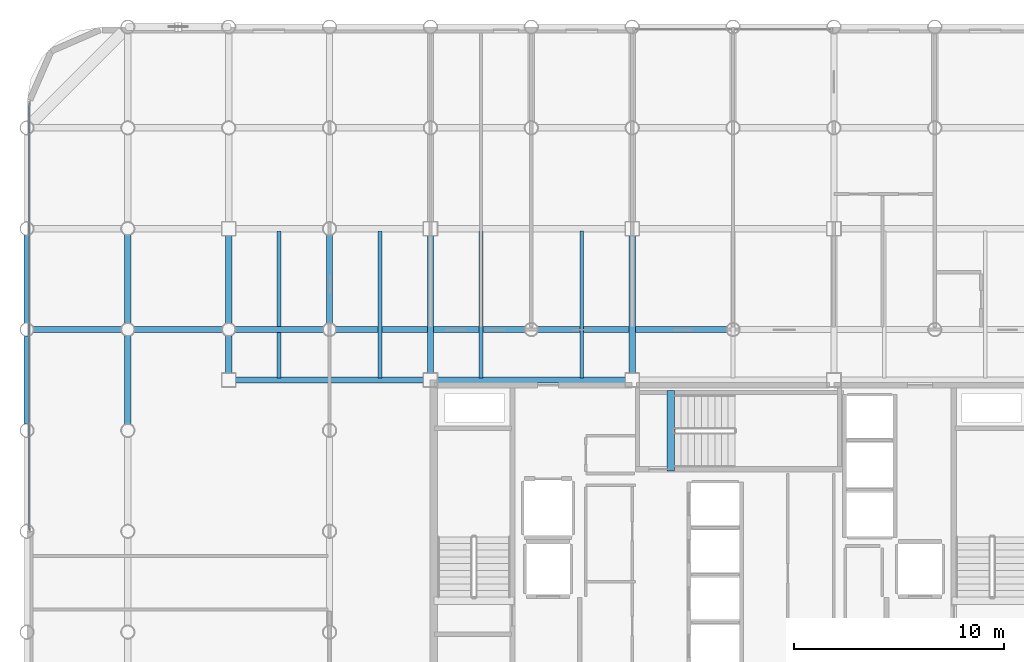
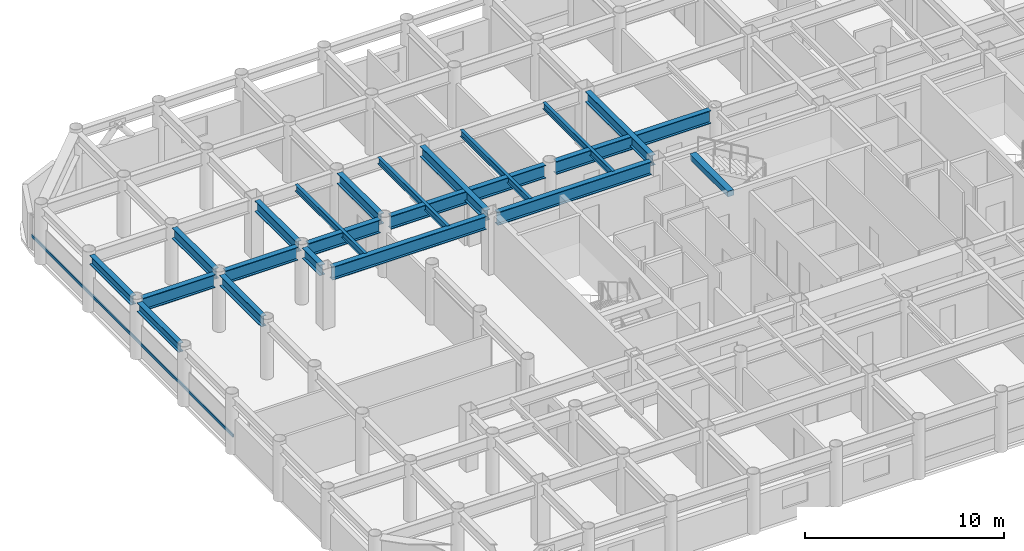
# One storey, part 5 of 20: 21 beams, 1 member, 1 element without a shape of its own.
"""IFC4 building model written with IfcOpenShell, lengths in metres."""

import ifcopenshell
import ifcopenshell.guid

model = None  # the IFC model being written
_history = None  # IfcOwnerHistory: only IFC2X3 demands one
_inside = {}  # id of a spatial element -> (the spatial element, [elements in it])
_under = {}  # id of a project, library or spatial element -> (it, [spatial elements below it])
_declared = {}  # id of a project -> (the project, [libraries it declares])
_typed = {}  # id of a type object -> (the type object, [elements of that type])
_made_of = {}  # id of a material, layer set ... -> (it, [elements and type objects made of it])


def new_model(schema):
    """Start an empty IFC model of exactly this schema.

    Asked for "IFC4X3", IfcOpenShell would pick the latest addendum, in which some entities
    have other attributes; the version numbers below select the first issue.
    IFC2X3 requires an IfcOwnerHistory on every rooted entity: one is made here for all.
    """
    global model, _history
    if schema == "IFC4X3":
        model = ifcopenshell.file(schema_version=(4, 3, 0, 0))
    else:
        model = ifcopenshell.file(schema=schema)
    _inside.clear()
    _under.clear()
    _declared.clear()
    _typed.clear()
    _made_of.clear()
    _history = None
    if model.schema == "IFC2X3":
        org = make("IfcOrganization", Name="unknown")
        user = make(
            "IfcPersonAndOrganization",
            ThePerson=make("IfcPerson", FamilyName="unknown"),
            TheOrganization=org,
        )
        app = make(
            "IfcApplication",
            ApplicationDeveloper=org,
            Version="unknown",
            ApplicationFullName="unknown",
            ApplicationIdentifier="unknown",
        )
        _history = make(
            "IfcOwnerHistory",
            OwningUser=user,
            OwningApplication=app,
            ChangeAction="ADDED",
            CreationDate=0,
        )
    return model


def make(cls, **values):
    """One entity of the class cls with the attributes given. An attribute that is None is left unset."""
    return model.create_entity(
        cls, **{name: value for name, value in values.items() if value is not None}
    )


def rooted(cls, **values):
    """An entity with a GlobalId (a new one), such as an element, a storey or a relation."""
    return make(cls, GlobalId=ifcopenshell.guid.new(), OwnerHistory=_history, **values)


def si_unit(unit_type, name, prefix=None):
    """IfcSIUnit, for example si_unit("LENGTHUNIT", "METRE", prefix="MILLI")."""
    return make("IfcSIUnit", UnitType=unit_type, Prefix=prefix, Name=name)


def assignment(units):
    """IfcUnitAssignment: the units of a project."""
    return None if units is None else make("IfcUnitAssignment", Units=units)


def point(xyz):
    """IfcCartesianPoint."""
    return None if xyz is None else make("IfcCartesianPoint", Coordinates=xyz)


def direction(xyz):
    """IfcDirection."""
    return None if xyz is None else make("IfcDirection", DirectionRatios=xyz)


def frame(location, z_axis=None, x_axis=None):
    """IfcAxis2Placement3D, a coordinate frame: its origin and axes. An axis left out is left unset."""
    return make(
        "IfcAxis2Placement3D",
        Location=point(location),
        Axis=direction(z_axis),
        RefDirection=direction(x_axis),
    )


def frame_2d(location, x_axis=None):
    """IfcAxis2Placement2D, a coordinate frame in the plane: its origin and x axis."""
    return make(
        "IfcAxis2Placement2D", Location=point(location), RefDirection=direction(x_axis)
    )


def origin():
    """The frame at (0, 0, 0) with its axes left unset."""
    return frame((0.0, 0.0, 0.0))


def origin_2d():
    """The frame at (0, 0) in the plane with its x axis left unset."""
    return frame_2d((0.0, 0.0))


def place(relative_to, where):
    """IfcLocalPlacement: puts the frame where relative to a parent placement (None: the world)."""
    return make(
        "IfcLocalPlacement", PlacementRelTo=relative_to, RelativePlacement=where
    )


def context(
    kind, dimensions, precision=None, world=None, true_north=None, identifier=None
):
    """IfcGeometricRepresentationContext, for example the 3D "Model" context."""
    return make(
        "IfcGeometricRepresentationContext",
        ContextIdentifier=identifier,
        ContextType=kind,
        CoordinateSpaceDimension=dimensions,
        Precision=precision,
        WorldCoordinateSystem=world,
        TrueNorth=true_north,
    )


def subcontext(parent, identifier, kind, view, scale=None):
    """IfcGeometricRepresentationSubContext, for example "Body" below "Model"."""
    return make(
        "IfcGeometricRepresentationSubContext",
        ContextIdentifier=identifier,
        ContextType=kind,
        ParentContext=parent,
        TargetScale=scale,
        TargetView=view,
    )


def project(units=None, contexts=None):
    """IfcProject with its units and contexts."""
    return rooted(
        "IfcProject",
        Name="project",
        RepresentationContexts=contexts,
        UnitsInContext=assignment(units),
    )


def spatial(cls, under=None, at=None, **own):
    """A site, building, storey or space (cls), placed at a placement, below another one or the project."""
    s = rooted(cls, ObjectPlacement=at, **own)
    if under is not None:
        _under.setdefault(under.id(), (under, []))[1].append(s)
    return s


def profile(cls, at=None, kind="AREA", **sizes):
    """A parametric profile (cls). Its sizes go by their IFC names, for example OverallWidth=200.0."""
    return make(cls, ProfileType=kind, Position=at, **sizes)


def rectangle(**sizes):
    """IfcRectangleProfileDef."""
    return profile("IfcRectangleProfileDef", **sizes)


def hollow_rectangle(**sizes):
    """IfcRectangleHollowProfileDef."""
    return profile("IfcRectangleHollowProfileDef", **sizes)


def i_section(**sizes):
    """IfcIShapeProfileDef."""
    return profile("IfcIShapeProfileDef", **sizes)


def extrude(swept, where, along, depth):
    """IfcExtrudedAreaSolid: the profile swept, set in the frame where, extruded along a direction by depth."""
    return make(
        "IfcExtrudedAreaSolid",
        SweptArea=swept,
        Position=where,
        ExtrudedDirection=direction(along),
        Depth=depth,
    )


def shape(context_of_items, identifier, shape_type, items):
    """IfcShapeRepresentation: the items that make up one representation, for example the "Body"."""
    return make(
        "IfcShapeRepresentation",
        ContextOfItems=context_of_items,
        RepresentationIdentifier=identifier,
        RepresentationType=shape_type,
        Items=items,
    )


def material(Name=None, Category=None):
    """IfcMaterial."""
    return make("IfcMaterial", Name=Name, Category=Category)


def layer(
    of_material, thickness, ventilated=None, Name=None, Category=None, Priority=None
):
    """IfcMaterialLayer: one layer of a wall or slab, of a material (None: an air gap)."""
    return make(
        "IfcMaterialLayer",
        Material=of_material,
        LayerThickness=thickness,
        IsVentilated=ventilated,
        Name=Name,
        Category=Category,
        Priority=Priority,
    )


def layer_set(layers, Name=None):
    """IfcMaterialLayerSet."""
    return make("IfcMaterialLayerSet", MaterialLayers=layers, LayerSetName=Name)


def material_profile(
    of_material, cross_section, Name=None, Category=None, Priority=None
):
    """IfcMaterialProfile: a cross section and its material."""
    return make(
        "IfcMaterialProfile",
        Name=Name,
        Material=of_material,
        Profile=cross_section,
        Priority=Priority,
        Category=Category,
    )


def profile_set(profiles, Name=None, composite=None):
    """IfcMaterialProfileSet."""
    return make(
        "IfcMaterialProfileSet",
        Name=Name,
        MaterialProfiles=profiles,
        CompositeProfile=composite,
    )


def made_of(thing, what):
    """Note that an element or type object is made of a material, layer set ...; save() writes the relation."""
    if what is not None:
        _made_of.setdefault(what.id(), (what, []))[1].append(thing)
    return thing


def type_object(cls, material=None, **own):
    """A type object (cls), such as IfcWallType, which elements share."""
    return made_of(rooted(cls, **own), material)


def element(
    cls,
    number,
    at=None,
    inside=None,
    cuts=None,
    type_object=None,
    material=None,
    context=None,
    identifier="Body",
    shape_type=None,
    held_by="IfcProductDefinitionShape",
    body=None,
    shapes=None,
    **own,
):
    """One element of the class cls, such as IfcWall. Its Tag is "e" and its number.

    at: its placement. inside: the storey or other place that contains it. cuts: it is an
    opening in that element (IfcRelVoidsElement). A single representation is given by context,
    identifier, shape_type and body (its items); several are given by shapes. held_by: the class
    of the entity that holds the representations. save() writes the other relations.
    """
    e = rooted(cls, Tag="e%d" % number, ObjectPlacement=at, **own)
    if body is not None:
        shapes = [shape(context, identifier, shape_type, body)]
    if shapes is not None:
        e.Representation = make(held_by, Representations=shapes)
    if inside is not None:
        _inside.setdefault(inside.id(), (inside, []))[1].append(e)
    if cuts is not None:
        rooted(
            "IfcRelVoidsElement", RelatingBuildingElement=cuts, RelatedOpeningElement=e
        )
    if type_object is not None:
        _typed.setdefault(type_object.id(), (type_object, []))[1].append(e)
    return made_of(e, material)


def aggregate(whole, parts):
    """IfcRelAggregates: a whole, such as a stair, and the parts it consists of."""
    return rooted("IfcRelAggregates", RelatingObject=whole, RelatedObjects=parts)


def save(model, path):
    """Write the relations noted so far, then the file.

    IfcRelAggregates (storeys below a building ...), IfcRelContainedInSpatialStructure (elements
    in a storey), IfcRelDefinesByType, IfcRelAssociatesMaterial and IfcRelDeclares: one each for
    every whole, place, type object, material and project.
    """
    for whole, parts in _under.values():
        aggregate(whole, parts)
    for where, things in _inside.values():
        rooted(
            "IfcRelContainedInSpatialStructure",
            RelatedElements=things,
            RelatingStructure=where,
        )
    for kind, things in _typed.values():
        rooted("IfcRelDefinesByType", RelatedObjects=things, RelatingType=kind)
    for what, things in _made_of.values():
        rooted("IfcRelAssociatesMaterial", RelatedObjects=things, RelatingMaterial=what)
    for by, libraries in _declared.values():
        rooted("IfcRelDeclares", RelatingContext=by, RelatedDefinitions=libraries)
    model.write(path)


model = new_model("IFC4")

# Units and contexts
model_context = context("Model", 3, precision=1e-05, world=origin(), true_north=direction((0.0, 1.0)))
body_context = subcontext(model_context, "Body", "Model", "MODEL_VIEW")
ifc_project = project(units=[si_unit("LENGTHUNIT", "METRE"), si_unit("AREAUNIT", "SQUARE_METRE"), si_unit("VOLUMEUNIT", "CUBIC_METRE"), si_unit("PLANEANGLEUNIT", "RADIAN"), si_unit("MASSUNIT", "GRAM", prefix="KILO")], contexts=[model_context])

# Site, building, storey
site_placement = place(None, origin())
site = spatial("IfcSite", under=ifc_project, at=site_placement, CompositionType="ELEMENT")
building_placement = place(site_placement, origin())
building = spatial("IfcBuilding", under=site, at=building_placement, Name="Kallvorn Hotel Tower", CompositionType="ELEMENT")
storey_placement = place(building_placement, frame((0.0, 0.0, 143.300048828125)))
storey = spatial("IfcBuildingStorey", under=building, at=storey_placement, Name="L35", CompositionType="ELEMENT", Elevation=143.300048828125)

# Beams
ifc_material_1 = material(Name="Structural steel S355JR", Category="steel")
ifc_material_profile_1 = material_profile(ifc_material_1, i_section(OverallWidth=0.300048828125, OverallDepth=0.550048828125, WebThickness=0.014892578125, FlangeThickness=0.029052734375, at=origin_2d()), Name="HE 550 B")
ifc_profile_set_1 = profile_set([ifc_material_profile_1], Name="Structural steel S355JR")
beam_type_1 = type_object("IfcBeamType", Name="BM_HE550B", PredefinedType="SPANDREL", material=ifc_profile_set_1)
beam_1_placement = place(storey_placement, frame((-33.60009765625, 5.1201171875, 3.244873046875), z_axis=(0.0, 1.0, 0.0), x_axis=(-1.0, 0.0, 0.0)))
element("IfcBeam", 1, at=beam_1_placement, inside=storey, type_object=beam_type_1, Name="L36 Perimeter Spandrel 178", PredefinedType="SPANDREL", context=body_context, shape_type="SweptSolid", body=[
    extrude(i_section(OverallWidth=0.300048828125, OverallDepth=0.550048828125, WebThickness=0.014892578125, FlangeThickness=0.029052734375, at=origin_2d()), origin(), (0.0, 0.0, 1.0), 4.159912109375),
])
beam_2_placement = place(storey_placement, frame((-33.60009765625, 9.919921875, 3.244873046875), z_axis=(0.0, 1.0, 0.0), x_axis=(-1.0, 0.0, 0.0)))
element("IfcBeam", 2, at=beam_2_placement, inside=storey, type_object=beam_type_1, Name="L36 Perimeter Spandrel 179", PredefinedType="SPANDREL", context=body_context, shape_type="SweptSolid", body=[
    extrude(i_section(OverallWidth=0.300048828125, OverallDepth=0.550048828125, WebThickness=0.014892578125, FlangeThickness=0.029052734375, at=origin_2d()), origin(), (0.0, 0.0, 1.0), 4.16015625),
])
ifc_material_2 = material(Name="Structural steel S355JR", Category="steel")
ifc_material_profile_2 = material_profile(ifc_material_2, i_section(OverallWidth=0.300048828125, OverallDepth=0.64990234375, WebThickness=0.01611328125, FlangeThickness=0.031005859375, at=origin_2d()), Name="HE 650 B")
ifc_profile_set_2 = profile_set([ifc_material_profile_2], Name="Structural steel S355JR")
beam_type_2 = type_object("IfcBeamType", Name="BM_HE650B", PredefinedType="BEAM", material=ifc_profile_set_2)
for number, where, z_axis, x_axis, name in (
    (3, (-28.800048828125, 5.10498046875, 3.195068359375), (0.0, 1.0, 0.0), (-1.0, 0.0, 0.0), "L36 Primary Y-Girder 78"),
    (4, (-28.800048828125, 9.905029296875, 3.195068359375), (0.0, 1.0, 0.0), (-1.0, 0.0, 0.0), "L36 Primary Y-Girder 79"),
):
    element("IfcBeam", number, at=place(storey_placement, frame(where, z_axis=z_axis, x_axis=x_axis)), inside=storey, type_object=beam_type_2, Name=name, PredefinedType="BEAM", context=body_context, shape_type="SweptSolid", body=[
        extrude(i_section(OverallWidth=0.300048828125, OverallDepth=0.64990234375, WebThickness=0.01611328125, FlangeThickness=0.031005859375, at=origin_2d()), origin(), (0.0, 0.0, 1.0), 4.18994140625),
    ])
beam_3_placement = place(storey_placement, frame((-24.0, 7.52490234375, 3.195068359375), z_axis=(0.0, 1.0, 0.0), x_axis=(-1.0, 0.0, 0.0)))
element("IfcBeam", 5, at=beam_3_placement, inside=storey, type_object=beam_type_2, Name="L36 Primary Y-Girder 85", PredefinedType="BEAM", context=body_context, shape_type="SweptSolid", body=[
    extrude(i_section(OverallWidth=0.300048828125, OverallDepth=0.64990234375, WebThickness=0.01611328125, FlangeThickness=0.031005859375, at=origin_2d()), origin(), (0.0, 0.0, 1.0), 1.77001953125),
])
beam_4_placement = place(storey_placement, frame((-24.0, 9.905029296875, 3.195068359375), z_axis=(0.0, 1.0, 0.0), x_axis=(-1.0, 0.0, 0.0)))
element("IfcBeam", 6, at=beam_4_placement, inside=storey, type_object=beam_type_2, Name="L36 Primary Y-Girder 86", PredefinedType="BEAM", context=body_context, shape_type="SweptSolid", body=[
    extrude(i_section(OverallWidth=0.300048828125, OverallDepth=0.64990234375, WebThickness=0.01611328125, FlangeThickness=0.031005859375, at=origin_2d()), origin(), (0.0, 0.0, 1.0), 4.169921875),
])
beam_5_placement = place(storey_placement, frame((-19.199951171875, 9.905029296875, 3.195068359375), z_axis=(0.0, 1.0, 0.0), x_axis=(-1.0, 0.0, 0.0)))
element("IfcBeam", 7, at=beam_5_placement, inside=storey, type_object=beam_type_2, Name="L36 Primary Y-Girder 95", PredefinedType="BEAM", context=body_context, shape_type="SweptSolid", body=[
    extrude(i_section(OverallWidth=0.300048828125, OverallDepth=0.64990234375, WebThickness=0.01611328125, FlangeThickness=0.031005859375, at=origin_2d()), origin(), (0.0, 0.0, 1.0), 4.18994140625),
])
for number, where, z_axis, x_axis, name in (
    (8, (-14.39990234375, 7.52490234375, 3.195068359375), (0.0, 1.0, 0.0), (-1.0, 0.0, 0.0), "L36 Primary Y-Girder 100"),
    (9, (-4.800048828125, 7.52490234375, 3.195068359375), (0.0, 1.0, 0.0), (-1.0, 0.0, 0.0), "L36 Primary Y-Girder 108"),
):
    element("IfcBeam", number, at=place(storey_placement, frame(where, z_axis=z_axis, x_axis=x_axis)), inside=storey, type_object=beam_type_2, Name=name, PredefinedType="BEAM", context=body_context, shape_type="SweptSolid", body=[
        extrude(i_section(OverallWidth=0.300048828125, OverallDepth=0.64990234375, WebThickness=0.01611328125, FlangeThickness=0.031005859375, at=origin_2d()), origin(), (0.0, 0.0, 1.0), 6.550048828125),
    ])
ifc_material_3 = material(Name="Structural steel S355JR", Category="steel")
ifc_material_profile_3 = material_profile(ifc_material_3, i_section(OverallWidth=0.300048828125, OverallDepth=0.800048828125, WebThickness=0.017578125, FlangeThickness=0.032958984375, at=origin_2d()), Name="HE 800 B")
ifc_profile_set_3 = profile_set([ifc_material_profile_3], Name="Structural steel S355JR")
beam_type_3 = type_object("IfcBeamType", Name="BM_HE800B", PredefinedType="BEAM", material=ifc_profile_set_3)
for number, where, z_axis, x_axis, name in (
    (10, (-23.675048828125, 7.199951171875, 3.119873046875), (1.0, 0.0, 0.0), (0.0, 1.0, 0.0), "L36 Primary X-Girder 36"),
    (11, (-14.074951171875, 7.199951171875, 3.119873046875), (1.0, 0.0, 0.0), (0.0, 1.0, 0.0), "L36 Primary X-Girder 37"),
):
    element("IfcBeam", number, at=place(storey_placement, frame(where, z_axis=z_axis, x_axis=x_axis)), inside=storey, type_object=beam_type_3, Name=name, PredefinedType="BEAM", context=body_context, shape_type="SweptSolid", body=[
        extrude(i_section(OverallWidth=0.300048828125, OverallDepth=0.800048828125, WebThickness=0.017578125, FlangeThickness=0.032958984375, at=origin_2d()), origin(), (0.0, 0.0, 1.0), 8.949951171875),
    ])
beam_6_placement = place(storey_placement, frame((-33.294921875, 9.60009765625, 3.119873046875), z_axis=(1.0, 0.0, 0.0), x_axis=(0.0, 1.0, 0.0)))
element("IfcBeam", 12, at=beam_6_placement, inside=storey, type_object=beam_type_3, Name="L36 Primary X-Girder 41", PredefinedType="BEAM", context=body_context, shape_type="SweptSolid", body=[
    extrude(i_section(OverallWidth=0.300048828125, OverallDepth=0.800048828125, WebThickness=0.017578125, FlangeThickness=0.032958984375, at=origin_2d()), origin(), (0.0, 0.0, 1.0), 4.18994140625),
])
for number, where, z_axis, x_axis, name in (
    (13, (-28.4951171875, 9.60009765625, 3.119873046875), (1.0, 0.0, 0.0), (0.0, 1.0, 0.0), "L36 Primary X-Girder 42"),
    (14, (-23.695068359375, 9.60009765625, 3.119873046875), (1.0, 0.0, 0.0), (0.0, 1.0, 0.0), "L36 Primary X-Girder 43"),
):
    element("IfcBeam", number, at=place(storey_placement, frame(where, z_axis=z_axis, x_axis=x_axis)), inside=storey, type_object=beam_type_3, Name=name, PredefinedType="BEAM", context=body_context, shape_type="SweptSolid", body=[
        extrude(i_section(OverallWidth=0.300048828125, OverallDepth=0.800048828125, WebThickness=0.017578125, FlangeThickness=0.032958984375, at=origin_2d()), origin(), (0.0, 0.0, 1.0), 4.190185546875),
    ])
for number, where, z_axis, x_axis, name in (
    (15, (-18.89501953125, 9.60009765625, 3.119873046875), (1.0, 0.0, 0.0), (0.0, 1.0, 0.0), "L36 Primary X-Girder 44"),
    (16, (-9.294921875, 9.60009765625, 3.119873046875), (1.0, 0.0, 0.0), (0.0, 1.0, 0.0), "L36 Primary X-Girder 45"),
):
    element("IfcBeam", number, at=place(storey_placement, frame(where, z_axis=z_axis, x_axis=x_axis)), inside=storey, type_object=beam_type_3, Name=name, PredefinedType="BEAM", context=body_context, shape_type="SweptSolid", body=[
        extrude(i_section(OverallWidth=0.300048828125, OverallDepth=0.800048828125, WebThickness=0.017578125, FlangeThickness=0.032958984375, at=origin_2d()), origin(), (0.0, 0.0, 1.0), 8.989990234375),
    ])
ifc_material_4 = material(Name="Structural steel S355JR", Category="steel")
ifc_material_profile_4 = material_profile(ifc_material_4, i_section(OverallWidth=0.179931640625, OverallDepth=0.39990234375, WebThickness=0.008544921875, FlangeThickness=0.013427734375, at=origin_2d()), Name="IPE 400")
ifc_profile_set_4 = profile_set([ifc_material_profile_4], Name="Structural steel S355JR")
beam_type_4 = type_object("IfcBeamType", Name="BM_IPE400", PredefinedType="JOIST", material=ifc_profile_set_4)
for number, where, z_axis, x_axis, name in (
    (17, (-21.60009765625, 7.300048828125, 3.320068359375), (0.0, 1.0, 0.0), (-1.0, 0.0, 0.0), "L36 Secondary Composite Joist 193"),
    (18, (-16.800048828125, 7.300048828125, 3.320068359375), (0.0, 1.0, 0.0), (-1.0, 0.0, 0.0), "L36 Secondary Composite Joist 195"),
    (19, (-12.0, 7.300048828125, 3.320068359375), (0.0, 1.0, 0.0), (-1.0, 0.0, 0.0), "L36 Secondary Composite Joist 197"),
    (20, (-7.199951171875, 7.300048828125, 3.320068359375), (0.0, 1.0, 0.0), (-1.0, 0.0, 0.0), "L36 Secondary Composite Joist 199"),
):
    element("IfcBeam", number, at=place(storey_placement, frame(where, z_axis=z_axis, x_axis=x_axis)), inside=storey, type_object=beam_type_4, Name=name, PredefinedType="JOIST", context=body_context, shape_type="SweptSolid", body=[
        extrude(i_section(OverallWidth=0.179931640625, OverallDepth=0.39990234375, WebThickness=0.008544921875, FlangeThickness=0.013427734375, at=origin_2d()), origin(), (0.0, 0.0, 1.0), 7.0),
    ])
ifc_material_5 = material(Name="Concrete C50/60", Category="concrete")
ifc_material_profile_5 = material_profile(ifc_material_5, rectangle(XDim=0.360107421875, YDim=0.340087890625, at=origin_2d()), Name="RC 360x340")
ifc_profile_set_5 = profile_set([ifc_material_profile_5], Name="Concrete C50/60")
beam_type_5 = type_object("IfcBeamType", Name="BM_RC_400x360", PredefinedType="BEAM", material=ifc_profile_set_5)
beam_7_placement = place(storey_placement, frame((-2.9599609375, 2.8701171875, 3.349853515625), z_axis=(0.0, 1.0, 0.0), x_axis=(-1.0, 0.0, 0.0)))
element("IfcBeam", 21, at=beam_7_placement, inside=storey, type_object=beam_type_5, Name="L36 Stair ST3 Arrival Trimmer Beam", PredefinedType="BEAM", context=body_context, shape_type="SweptSolid", body=[
    extrude(rectangle(XDim=0.360107421875, YDim=0.340087890625, at=origin_2d()), origin(), (0.0, 0.0, 1.0), 3.81982421875),
])

# Curtain wall, member
ifc_material_6 = material(Name="Thermally broken black-anodised aluminium AA 6063-T6", Category="aluminium")
ifc_layer = layer(ifc_material_6, 0.2099609375)
ifc_layer_set = layer_set([ifc_layer], Name="CW_SYS_4_HOTEL_MID")
curtain_wall_type = type_object("IfcCurtainWallType", Name="CW_SYS_4_HOTEL_MID", PredefinedType="USERDEFINED", material=ifc_layer_set)
curtain_wall_placement = place(storey_placement, origin())
curtain_wall = element("IfcCurtainWall", 22, at=curtain_wall_placement, inside=storey, type_object=curtain_wall_type, Name="L35 Dark-Glass Curtain Wall CW-L35-WN", ObjectType="UNITISED CURTAIN WALL", PredefinedType="USERDEFINED")
ifc_material_7 = material(Name="Thermally broken black-anodised aluminium AA 6063-T6", Category="aluminium")
ifc_material_profile_6 = material_profile(ifc_material_7, hollow_rectangle(XDim=0.070068359375, YDim=0.179931640625, WallThickness=0.00390625, at=origin_2d()), Name="TRN 180x70")
ifc_profile_set_6 = profile_set([ifc_material_profile_6], Name="Thermally broken black-anodised aluminium AA 6063-T6")
member_type = type_object("IfcMemberType", Name="CW_TRANSOM_180x70", PredefinedType="USERDEFINED", material=ifc_profile_set_6)
member_placement = place(storey_placement, frame((-33.47998046875, 0.06005859375, 0.849853515625), z_axis=(0.0, 1.0, 0.0), x_axis=(-1.0, 0.0, 0.0)))
member = element("IfcMember", 23, at=member_placement, type_object=member_type, Name="CW-L35-WN Transom 00M", ObjectType="TRANSOM", PredefinedType="USERDEFINED", context=body_context, shape_type="SweptSolid", body=[
    extrude(hollow_rectangle(XDim=0.070068359375, YDim=0.179931640625, WallThickness=0.00390625, at=origin_2d()), origin(), (0.0, 0.0, 1.0), 20.300048828125),
])
aggregate(curtain_wall, [member])

save(model, "model.ifc")
